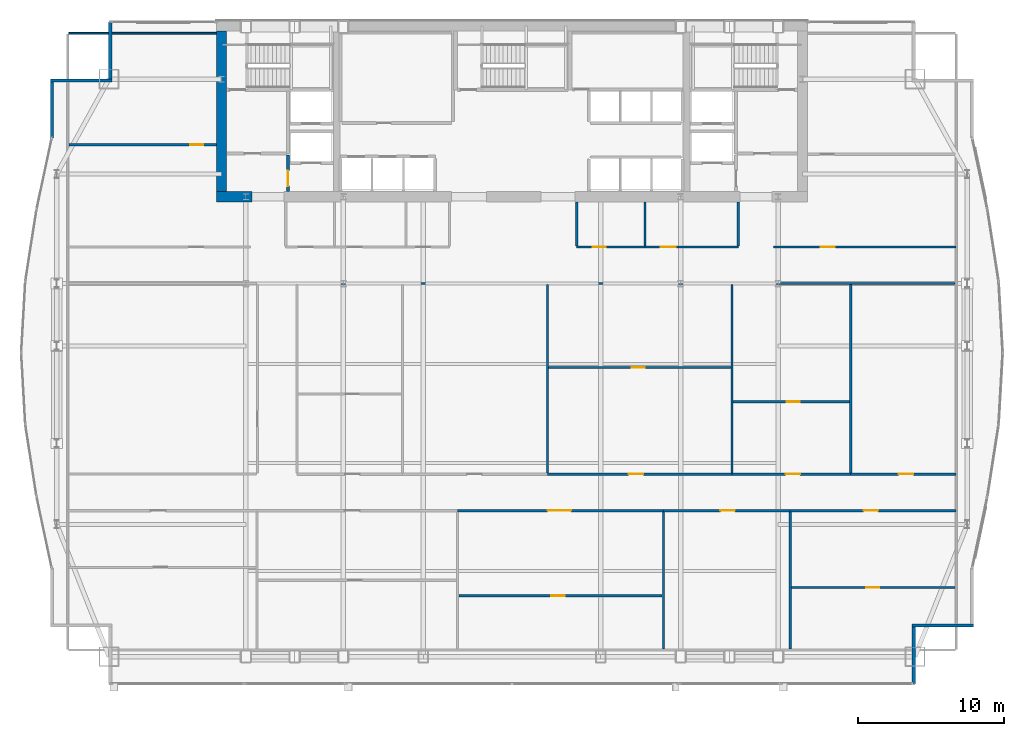
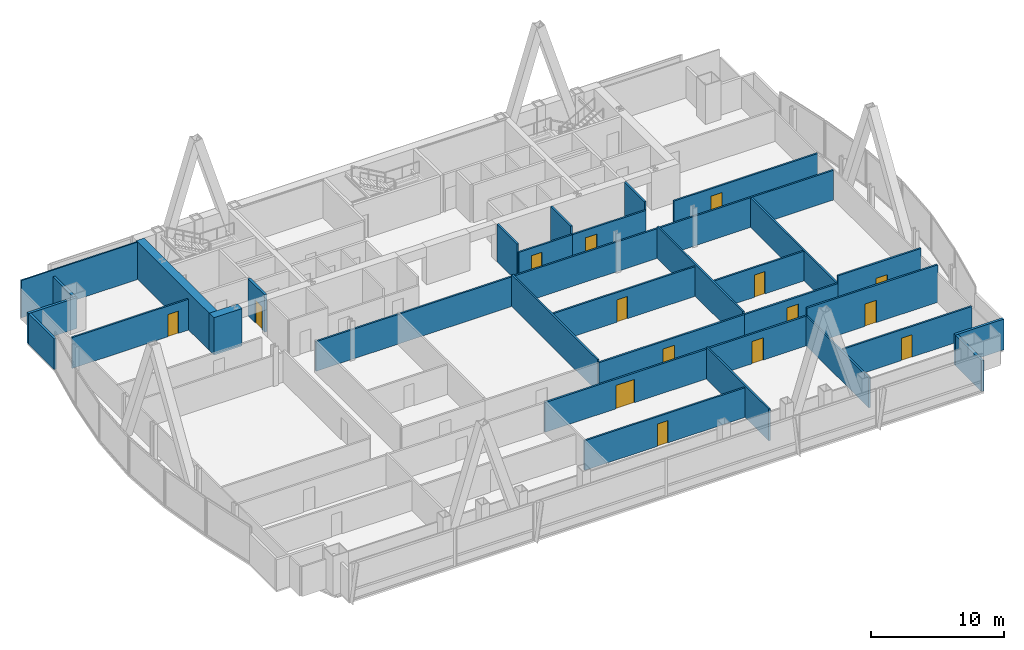
# One storey, part 26 of 30: 32 walls, 15 doors, 15 openings.
"""IFC4 building model written with IfcOpenShell, lengths in metres."""

from ifc_helpers import new_model, si_unit, direction, frame, frame_2d, origin, place, context, subcontext, project, spatial, rectangle, extrude, material, layer, layer_set, type_object, element, fill, save


model = new_model("IFC4")

# Units and contexts
model_context = context("Model", 3, precision=1e-05, world=origin(), true_north=direction((0.0, 1.0)))
body_context = subcontext(model_context, "Body", "Model", "MODEL_VIEW")
ifc_project = project(units=[si_unit("LENGTHUNIT", "METRE"), si_unit("AREAUNIT", "SQUARE_METRE"), si_unit("VOLUMEUNIT", "CUBIC_METRE"), si_unit("PLANEANGLEUNIT", "RADIAN"), si_unit("MASSUNIT", "GRAM", prefix="KILO")], contexts=[model_context])

# Site, building, storey
site_placement = place(None, origin())
site = spatial("IfcSite", under=ifc_project, at=site_placement, CompositionType="ELEMENT")
building_placement = place(site_placement, origin())
building = spatial("IfcBuilding", under=site, at=building_placement, Name="Khoronbel Lancet Exchange", CompositionType="ELEMENT")
storey_placement = place(building_placement, frame((0.0, 0.0, 157.800048828125)))
storey = spatial("IfcBuildingStorey", under=building, at=storey_placement, Name="L39", CompositionType="ELEMENT", Elevation=157.800048828125)

# Walls
ifc_material_1 = material(Name="Concrete C80/95", Category="concrete")
ifc_layer_1 = layer(ifc_material_1, 0.699951171875, Name="Concrete C80/95")
ifc_layer_set_1 = layer_set([ifc_layer_1], Name="Concrete C80/95")
wall_type_1 = type_object("IfcWallType", Name="WL-CW2", PredefinedType="SHEAR", material=ifc_layer_set_1)
wall_1_placement = place(storey_placement, frame((16.550048828125, 42.0, 0.0), z_axis=(0.0, 0.0, 1.0), x_axis=(0.0, 1.0, 0.0)))
element("IfcWall", 1, at=wall_1_placement, inside=storey, type_object=wall_type_1, Name="Level L39 rear core west shear wall", PredefinedType="SHEAR", context=body_context, shape_type="SweptSolid", body=[
    extrude(rectangle(XDim=11.0, YDim=0.699951171875, at=frame_2d((5.5, 0.0))), origin(), (0.0, 0.0, 1.0), 3.43994140625),
])
wall_2_placement = place(storey_placement, frame((18.64990234375, 41.64990234375, 0.0), z_axis=(0.0, 0.0, 1.0), x_axis=(-1.0, 0.0, 0.0)))
element("IfcWall", 2, at=wall_2_placement, inside=storey, type_object=wall_type_1, Name="Level L39 rear core south shear wall pier P1", PredefinedType="SHEAR", context=body_context, shape_type="SweptSolid", body=[
    extrude(rectangle(XDim=2.449951171875, YDim=0.699951171875, at=frame_2d((1.22509765625, 0.0))), origin(), (0.0, 0.0, 1.0), 3.43994140625),
])
ifc_material_2 = material(Name="Precast concrete C40/50", Category="concrete")
ifc_layer_2 = layer(ifc_material_2, 0.25, Name="Precast concrete C40/50")
ifc_layer_set_2 = layer_set([ifc_layer_2], Name="Precast concrete C40/50")
wall_type_2 = type_object("IfcWallType", Name="WL-EXT250", PredefinedType="SOLIDWALL", material=ifc_layer_set_2)
wall_3_placement = place(storey_placement, frame((4.93994140625, 45.67041015625, 0.0), z_axis=(0.0, 0.0, 1.0), x_axis=(0.0, 1.0, 0.0)))
element("IfcWall", 3, at=wall_3_placement, inside=storey, type_object=wall_type_2, Name="Level L39 notched-corner limestone pier 10", PredefinedType="SOLIDWALL", context=body_context, shape_type="SweptSolid", body=[
    extrude(rectangle(XDim=3.82958984375, YDim=0.219970703125, at=frame_2d((1.914794921875, 0.0))), origin(), (0.0, 0.0, 1.0), 2.829833984375),
])
wall_4_placement = place(storey_placement, frame((4.830078125, 49.610107421875, 0.0), z_axis=(0.0, 0.0, 1.0), x_axis=(1.0, 0.0, 0.0)))
element("IfcWall", 4, at=wall_4_placement, inside=storey, type_object=wall_type_2, Name="Level L39 notched-corner limestone pier 11", PredefinedType="SOLIDWALL", context=body_context, shape_type="SweptSolid", body=[
    extrude(rectangle(XDim=4.219970703125, YDim=0.219970703125, at=frame_2d((2.10986328125, 0.0))), origin(), (0.0, 0.0, 1.0), 2.829833984375),
])
wall_5_placement = place(storey_placement, frame((8.93994140625, 49.719970703125, 0.0), z_axis=(0.0, 0.0, 1.0), x_axis=(0.0, 1.0, 0.0)))
element("IfcWall", 5, at=wall_5_placement, inside=storey, type_object=wall_type_2, Name="Level L39 notched-corner limestone pier 12", PredefinedType="SOLIDWALL", context=body_context, shape_type="SweptSolid", body=[
    extrude(rectangle(XDim=3.909912109375, YDim=0.219970703125, at=frame_2d((1.955078125, 0.0))), origin(), (0.0, 0.0, 1.0), 2.829833984375),
])
wall_6_placement = place(storey_placement, frame((68.070068359375, 12.2900390625, 0.0), z_axis=(0.0, 0.0, 1.0), x_axis=(-1.0, 0.0, 0.0)))
element("IfcWall", 6, at=wall_6_placement, inside=storey, type_object=wall_type_2, Name="Level L39 notched-corner limestone pier 24", PredefinedType="SOLIDWALL", context=body_context, shape_type="SweptSolid", body=[
    extrude(rectangle(XDim=4.219970703125, YDim=0.219970703125, at=frame_2d((2.10986328125, 0.0))), origin(), (0.0, 0.0, 1.0), 2.829833984375),
])
wall_7_placement = place(storey_placement, frame((63.9599609375, 12.179931640625, 0.0), z_axis=(0.0, 0.0, 1.0), x_axis=(0.0, -1.0, 0.0)))
element("IfcWall", 7, at=wall_7_placement, inside=storey, type_object=wall_type_2, Name="Level L39 notched-corner limestone pier 25", PredefinedType="SOLIDWALL", context=body_context, shape_type="SweptSolid", body=[
    extrude(rectangle(XDim=3.909912109375, YDim=0.219970703125, at=frame_2d((1.955078125, 0.0))), origin(), (0.0, 0.0, 1.0), 2.829833984375),
])
ifc_material_3 = material(Name="Acoustic Metal-Stud & Mineral-Wool Gypsum Partition 120 mm", Category="gypsum")
ifc_layer_3 = layer(ifc_material_3, 0.1201171875, Name="Acoustic Metal-Stud & Mineral-Wool Gypsum Partition 120 mm")
ifc_layer_set_3 = layer_set([ifc_layer_3], Name="Acoustic Metal-Stud & Mineral-Wool Gypsum Partition 120 mm")
wall_type_3 = type_object("IfcWallType", Name="WL-PRT120", PredefinedType="PARTITIONING", material=ifc_layer_set_3)
for number, where, z_axis, x_axis, name in (
    (8, (40.8798828125, 38.280029296875, 0.0), (0.0, 0.0, 1.0), (0.0, 1.0, 0.0), "Level L39 interior partition PW-NP-0"),
    (9, (45.550048828125, 38.280029296875, 0.0), (0.0, 0.0, 1.0), (0.0, 1.0, 0.0), "Level L39 interior partition PW-NP-M"),
    (10, (51.949951171875, 38.280029296875, 0.0), (0.0, 0.0, 1.0), (0.0, 1.0, 0.0), "Level L39 interior partition PW-NP-1"),
):
    element("IfcWall", number, at=place(storey_placement, frame(where, z_axis=z_axis, x_axis=x_axis)), inside=storey, type_object=wall_type_3, Name=name, PredefinedType="PARTITIONING", context=body_context, shape_type="SweptSolid", body=[
        extrude(rectangle(XDim=3.02001953125, YDim=0.14990234375, at=frame_2d((1.510009765625, 0.0))), origin(), (0.0, 0.0, 1.0), 3.43994140625),
    ])

# Wall, opening, door
wall_8_placement = place(storey_placement, frame((6.094970703125, 45.199951171875, 0.0), z_axis=(0.0, 0.0, 1.0), x_axis=(1.0, 0.0, 0.0)))
wall_8 = element("IfcWall", 11, at=wall_8_placement, inside=storey, type_object=wall_type_3, Name="Level L39 interior partition PW-NW-H", PredefinedType="PARTITIONING", context=body_context, shape_type="SweptSolid", body=[
    extrude(rectangle(XDim=10.10498046875, YDim=0.14990234375, at=frame_2d((5.052490234375, 0.0))), origin(), (0.0, 0.0, 1.0), 2.829833984375),
])
opening_1_placement = place(wall_8_placement, frame((8.320068359375, 0.0, 0.0)))
opening_1 = element("IfcOpeningElement", 12, at=opening_1_placement, cuts=wall_8, Name="Opening D5", PredefinedType="OPENING", context=body_context, shape_type="SweptSolid", body=[
    extrude(rectangle(XDim=0.89990234375, YDim=2.050048828125, at=frame_2d((0.449951171875, 1.02490234375))), frame((0.0, 0.0849609375, 0.0), z_axis=(0.0, -1.0, 0.0), x_axis=(1.0, 0.0, 0.0)), (0.0, 0.0, 1.0), 0.169921875),
])
ifc_material_4 = material(Name="Acoustic Timber Pantry & Support Door", Category="wood")
door_type_1 = type_object("IfcDoorType", Name="DR-D5", OperationType="NOTDEFINED", PredefinedType="DOOR", material=ifc_material_4)
door_1_placement = place(opening_1_placement, origin())
door_1 = element("IfcDoor", 13, at=door_1_placement, inside=storey, type_object=door_type_1, Name="NW north room door L39-1", OperationType="SINGLE_SWING_RIGHT", OverallHeight=2.050048828125, OverallWidth=0.89990234375, PredefinedType="DOOR", context=body_context, shape_type="SweptSolid", body=[
    extrude(rectangle(XDim=0.89990234375, YDim=2.050048828125, at=frame_2d((0.449951171875, 1.02490234375))), frame((0.0, 0.02490234375, 0.0), z_axis=(0.0, -1.0, 0.0), x_axis=(1.0, 0.0, 0.0)), (0.0, 0.0, 1.0), 0.050048828125),
])
fill(opening_1, door_1)

wall_9_placement = place(storey_placement, frame((32.8046875, 14.31689453125, 0.0), z_axis=(0.0, 0.0, 1.0), x_axis=(1.0, 0.0, 0.0)))
wall_9 = element("IfcWall", 14, at=wall_9_placement, inside=storey, type_object=wall_type_3, Name="Level L39 interior partition PW-Z2S-H3", PredefinedType="PARTITIONING", context=body_context, shape_type="SweptSolid", body=[
    extrude(rectangle(XDim=13.9326171875, YDim=0.14990234375, at=frame_2d((6.96630859375, 0.0))), origin(), (0.0, 0.0, 1.0), 2.72998046875),
])
opening_2_placement = place(wall_9_placement, frame((6.341552734375, 0.0, 0.0)))
opening_2 = element("IfcOpeningElement", 15, at=opening_2_placement, cuts=wall_9, Name="Opening D5", PredefinedType="OPENING", context=body_context, shape_type="SweptSolid", body=[
    extrude(rectangle(XDim=0.89990234375, YDim=2.050048828125, at=frame_2d((0.449951171875, 1.02490234375))), frame((0.0, 0.0849609375, 0.0), z_axis=(0.0, -1.0, 0.0), x_axis=(1.0, 0.0, 0.0)), (0.0, 0.0, 1.0), 0.169921875),
])
door_2_placement = place(opening_2_placement, origin())
door_2 = element("IfcDoor", 16, at=door_2_placement, inside=storey, type_object=door_type_1, Name="Z2S inner door 3 L39-1", OperationType="SINGLE_SWING_RIGHT", OverallHeight=2.050048828125, OverallWidth=0.89990234375, PredefinedType="DOOR", context=body_context, shape_type="SweptSolid", body=[
    extrude(rectangle(XDim=0.89990234375, YDim=2.050048828125, at=frame_2d((0.449951171875, 1.02490234375))), frame((0.0, 0.02490234375, 0.0), z_axis=(0.0, -1.0, 0.0), x_axis=(1.0, 0.0, 0.0)), (0.0, 0.0, 1.0), 0.050048828125),
])
fill(opening_2, door_2)

wall_10_placement = place(storey_placement, frame((55.585205078125, 14.884521484375, 0.0), z_axis=(0.0, 0.0, 1.0), x_axis=(1.0, 0.0, 0.0)))
wall_10 = element("IfcWall", 17, at=wall_10_placement, inside=storey, type_object=wall_type_3, Name="Level L39 interior partition PW-Z2S-H5", PredefinedType="PARTITIONING", context=body_context, shape_type="SweptSolid", body=[
    extrude(rectangle(XDim=11.2197265625, YDim=0.14990234375, at=frame_2d((5.60986328125, 0.0))), origin(), (0.0, 0.0, 1.0), 2.829833984375),
])
opening_3_placement = place(wall_10_placement, frame((5.1142578125, 0.0, 0.0)))
opening_3 = element("IfcOpeningElement", 18, at=opening_3_placement, cuts=wall_10, Name="Opening D5", PredefinedType="OPENING", context=body_context, shape_type="SweptSolid", body=[
    extrude(rectangle(XDim=0.89990234375, YDim=2.050048828125, at=frame_2d((0.449951171875, 1.02490234375))), frame((0.0, 0.0849609375, 0.0), z_axis=(0.0, -1.0, 0.0), x_axis=(1.0, 0.0, 0.0)), (0.0, 0.0, 1.0), 0.169921875),
])
door_3_placement = place(opening_3_placement, origin())
door_3 = element("IfcDoor", 19, at=door_3_placement, inside=storey, type_object=door_type_1, Name="Z2S inner door 5 L39-1", OperationType="SINGLE_SWING_LEFT", OverallHeight=2.050048828125, OverallWidth=0.89990234375, PredefinedType="DOOR", context=body_context, shape_type="SweptSolid", body=[
    extrude(rectangle(XDim=0.89990234375, YDim=2.050048828125, at=frame_2d((0.449951171875, 1.02490234375))), frame((0.0, 0.02490234375, 0.0), z_axis=(0.0, -1.0, 0.0), x_axis=(1.0, 0.0, 0.0)), (0.0, 0.0, 1.0), 0.050048828125),
])
fill(opening_3, door_3)

wall_11_placement = place(storey_placement, frame((38.963134765625, 29.9580078125, 0.0), z_axis=(0.0, 0.0, 1.0), x_axis=(1.0, 0.0, 0.0)))
wall_11 = element("IfcWall", 20, at=wall_11_placement, inside=storey, type_object=wall_type_3, Name="Level L39 interior partition PW-Z2N-H3", PredefinedType="PARTITIONING", context=body_context, shape_type="SweptSolid", body=[
    extrude(rectangle(XDim=12.479248046875, YDim=0.14990234375, at=frame_2d((6.23974609375, 0.0))), origin(), (0.0, 0.0, 1.0), 2.72998046875),
])
opening_4_placement = place(wall_11_placement, frame((5.6875, 0.0, 0.0)))
opening_4 = element("IfcOpeningElement", 21, at=opening_4_placement, cuts=wall_11, Name="Opening D5", PredefinedType="OPENING", context=body_context, shape_type="SweptSolid", body=[
    extrude(rectangle(XDim=0.89990234375, YDim=2.050048828125, at=frame_2d((0.449951171875, 1.02490234375))), frame((0.0, 0.0849609375, 0.0), z_axis=(0.0, -1.0, 0.0), x_axis=(1.0, 0.0, 0.0)), (0.0, 0.0, 1.0), 0.169921875),
])
door_4_placement = place(opening_4_placement, origin())
door_4 = element("IfcDoor", 22, at=door_4_placement, inside=storey, type_object=door_type_1, Name="Z2N inner door 3 L39-1", OperationType="SINGLE_SWING_LEFT", OverallHeight=2.050048828125, OverallWidth=0.89990234375, PredefinedType="DOOR", context=body_context, shape_type="SweptSolid", body=[
    extrude(rectangle(XDim=0.89990234375, YDim=2.050048828125, at=frame_2d((0.449951171875, 1.02490234375))), frame((0.0, 0.02490234375, 0.0), z_axis=(0.0, -1.0, 0.0), x_axis=(1.0, 0.0, 0.0)), (0.0, 0.0, 1.0), 0.050048828125),
])
fill(opening_4, door_4)

wall_12_placement = place(storey_placement, frame((51.602294921875, 27.60888671875, 0.0), z_axis=(0.0, 0.0, 1.0), x_axis=(1.0, 0.0, 0.0)))
wall_12 = element("IfcWall", 23, at=wall_12_placement, inside=storey, type_object=wall_type_3, Name="Level L39 interior partition PW-Z2N-H4", PredefinedType="PARTITIONING", context=body_context, shape_type="SweptSolid", body=[
    extrude(rectangle(XDim=7.96533203125, YDim=0.14990234375, at=frame_2d((3.982666015625, 0.0))), origin(), (0.0, 0.0, 1.0), 2.72998046875),
])
opening_5_placement = place(wall_12_placement, frame((3.65625, 0.0, 0.0)))
opening_5 = element("IfcOpeningElement", 24, at=opening_5_placement, cuts=wall_12, Name="Opening D5", PredefinedType="OPENING", context=body_context, shape_type="SweptSolid", body=[
    extrude(rectangle(XDim=0.89990234375, YDim=2.050048828125, at=frame_2d((0.449951171875, 1.02490234375))), frame((0.0, 0.0849609375, 0.0), z_axis=(0.0, -1.0, 0.0), x_axis=(1.0, 0.0, 0.0)), (0.0, 0.0, 1.0), 0.169921875),
])
door_5_placement = place(opening_5_placement, origin())
door_5 = element("IfcDoor", 25, at=door_5_placement, inside=storey, type_object=door_type_1, Name="Z2N inner door 4 L39-1", OperationType="SINGLE_SWING_LEFT", OverallHeight=2.050048828125, OverallWidth=0.89990234375, PredefinedType="DOOR", context=body_context, shape_type="SweptSolid", body=[
    extrude(rectangle(XDim=0.89990234375, YDim=2.050048828125, at=frame_2d((0.449951171875, 1.02490234375))), frame((0.0, 0.02490234375, 0.0), z_axis=(0.0, -1.0, 0.0), x_axis=(1.0, 0.0, 0.0)), (0.0, 0.0, 1.0), 0.050048828125),
])
fill(opening_5, door_5)

# Wall
wall_13_placement = place(storey_placement, frame((6.094970703125, 52.840087890625, 0.0), z_axis=(0.0, 0.0, 1.0), x_axis=(1.0, 0.0, 0.0)))
element("IfcWall", 26, at=wall_13_placement, inside=storey, type_object=wall_type_3, Name="Level L39 interior partition PW-LIN-NW", PredefinedType="PARTITIONING", context=body_context, shape_type="SweptSolid", body=[
    extrude(rectangle(XDim=10.10498046875, YDim=0.1201171875, at=frame_2d((5.052490234375, 0.0))), origin(), (0.0, 0.0, 1.0), 3.43994140625),
])

# Wall, opening, door
ifc_material_5 = material(Name="Fire-Rated Twin-Stud Acoustic Gypsum Partition 150 mm", Category="gypsum")
ifc_layer_4 = layer(ifc_material_5, 0.14990234375, Name="Fire-Rated Twin-Stud Acoustic Gypsum Partition 150 mm")
ifc_layer_set_4 = layer_set([ifc_layer_4], Name="Fire-Rated Twin-Stud Acoustic Gypsum Partition 150 mm")
wall_type_4 = type_object("IfcWallType", Name="WL-PRT150C", PredefinedType="PARTITIONING", material=ifc_layer_set_4)
wall_14_placement = place(storey_placement, frame((40.8798828125, 38.199951171875, 0.0), z_axis=(0.0, 0.0, 1.0), x_axis=(1.0, 0.0, 0.0)))
wall_14 = element("IfcWall", 27, at=wall_14_placement, inside=storey, type_object=wall_type_4, Name="Level L39 interior partition PW-NP-S1", PredefinedType="PARTITIONING", context=body_context, shape_type="SweptSolid", body=[
    extrude(rectangle(XDim=4.670166015625, YDim=0.14990234375, at=frame_2d((2.3349609375, 0.0))), origin(), (0.0, 0.0, 1.0), 2.72998046875),
])
opening_6_placement = place(wall_14_placement, frame((1.10009765625, 0.0, 0.0)))
opening_6 = element("IfcOpeningElement", 28, at=opening_6_placement, cuts=wall_14, Name="Opening D5", PredefinedType="OPENING", context=body_context, shape_type="SweptSolid", body=[
    extrude(rectangle(XDim=0.89990234375, YDim=2.050048828125, at=frame_2d((0.449951171875, 1.02490234375))), frame((0.0, 0.0849609375, 0.0), z_axis=(0.0, -1.0, 0.0), x_axis=(1.0, 0.0, 0.0)), (0.0, 0.0, 1.0), 0.169921875),
])
door_6_placement = place(opening_6_placement, origin())
door_6 = element("IfcDoor", 29, at=door_6_placement, inside=storey, type_object=door_type_1, Name="Floor refreshment pantry door L39-1", OperationType="SINGLE_SWING_RIGHT", OverallHeight=2.050048828125, OverallWidth=0.89990234375, PredefinedType="DOOR", context=body_context, shape_type="SweptSolid", body=[
    extrude(rectangle(XDim=0.89990234375, YDim=2.050048828125, at=frame_2d((0.449951171875, 1.02490234375))), frame((0.0, 0.02490234375, 0.0), z_axis=(0.0, -1.0, 0.0), x_axis=(1.0, 0.0, 0.0)), (0.0, 0.0, 1.0), 0.050048828125),
])
fill(opening_6, door_6)

wall_15_placement = place(storey_placement, frame((45.550048828125, 38.199951171875, 0.0), z_axis=(0.0, 0.0, 1.0), x_axis=(1.0, 0.0, 0.0)))
wall_15 = element("IfcWall", 30, at=wall_15_placement, inside=storey, type_object=wall_type_4, Name="Level L39 interior partition PW-NP-S2", PredefinedType="PARTITIONING", context=body_context, shape_type="SweptSolid", body=[
    extrude(rectangle(XDim=6.39990234375, YDim=0.14990234375, at=frame_2d((3.199951171875, 0.0))), origin(), (0.0, 0.0, 1.0), 2.72998046875),
])
opening_7_placement = place(wall_15_placement, frame((1.10009765625, 0.0, 0.0)))
opening_7 = element("IfcOpeningElement", 31, at=opening_7_placement, cuts=wall_15, Name="Opening D2", PredefinedType="OPENING", context=body_context, shape_type="SweptSolid", body=[
    extrude(rectangle(XDim=1.0, YDim=2.050048828125, at=frame_2d((0.5, 1.02490234375))), frame((0.0, 0.0849609375, 0.0), z_axis=(0.0, -1.0, 0.0), x_axis=(1.0, 0.0, 0.0)), (0.0, 0.0, 1.0), 0.169921875),
])
ifc_material_6 = material(Name="Acoustic Veneered Timber & Bronze Frame Door", Category="wood")
door_type_2 = type_object("IfcDoorType", Name="DR-D2", OperationType="NOTDEFINED", PredefinedType="DOOR", material=ifc_material_6)
door_7_placement = place(opening_7_placement, origin())
door_7 = element("IfcDoor", 32, at=door_7_placement, inside=storey, type_object=door_type_2, Name="Floor store door L39-1", OperationType="SINGLE_SWING_LEFT", OverallHeight=2.050048828125, OverallWidth=1.0, PredefinedType="DOOR", context=body_context, shape_type="SweptSolid", body=[
    extrude(rectangle(XDim=1.0, YDim=2.050048828125, at=frame_2d((0.5, 1.02490234375))), frame((0.0, 0.02490234375, 0.0), z_axis=(0.0, -1.0, 0.0), x_axis=(1.0, 0.0, 0.0)), (0.0, 0.0, 1.0), 0.050048828125),
])
fill(opening_7, door_7)

wall_16_placement = place(storey_placement, frame((54.35009765625, 38.199951171875, 0.0), z_axis=(0.0, 0.0, 1.0), x_axis=(1.0, 0.0, 0.0)))
wall_16 = element("IfcWall", 33, at=wall_16_placement, inside=storey, type_object=wall_type_4, Name="Level L39 interior partition PW-NE-S", PredefinedType="PARTITIONING", context=body_context, shape_type="SweptSolid", body=[
    extrude(rectangle(XDim=12.52001953125, YDim=0.14990234375, at=frame_2d((6.260009765625, 0.0))), origin(), (0.0, 0.0, 1.0), 2.72998046875),
])
opening_8_placement = place(wall_16_placement, frame((3.25, 0.0, 0.0)))
opening_8 = element("IfcOpeningElement", 34, at=opening_8_placement, cuts=wall_16, Name="Opening D1", PredefinedType="OPENING", context=body_context, shape_type="SweptSolid", body=[
    extrude(rectangle(XDim=0.949951171875, YDim=2.050048828125, at=frame_2d((0.47509765625, 1.02490234375))), frame((0.0, 0.0849609375, 0.0), z_axis=(0.0, -1.0, 0.0), x_axis=(1.0, 0.0, 0.0)), (0.0, 0.0, 1.0), 0.169921875),
])
door_type_3 = type_object("IfcDoorType", Name="DR-D1", OperationType="NOTDEFINED", PredefinedType="DOOR", material=ifc_material_6)
door_8_placement = place(opening_8_placement, origin())
door_8 = element("IfcDoor", 35, at=door_8_placement, inside=storey, type_object=door_type_3, Name="NE corner room door L39-1", OperationType="SINGLE_SWING_LEFT", OverallHeight=2.050048828125, OverallWidth=0.949951171875, PredefinedType="DOOR", context=body_context, shape_type="SweptSolid", body=[
    extrude(rectangle(XDim=0.949951171875, YDim=2.050048828125, at=frame_2d((0.47509765625, 1.02490234375))), frame((0.0, 0.02490234375, 0.0), z_axis=(0.0, -1.0, 0.0), x_axis=(1.0, 0.0, 0.0)), (0.0, 0.0, 1.0), 0.050048828125),
])
fill(opening_8, door_8)

# Walls
wall_17_placement = place(storey_placement, frame((46.8173828125, 10.6650390625, 0.0), z_axis=(0.0, 0.0, 1.0), x_axis=(0.0, 1.0, 0.0)))
element("IfcWall", 36, at=wall_17_placement, inside=storey, type_object=wall_type_4, Name="Level L39 interior partition PW-Z2S-V3", PredefinedType="PARTITIONING", context=body_context, shape_type="SweptSolid", body=[
    extrude(rectangle(XDim=9.39990234375, YDim=0.14990234375, at=frame_2d((4.699951171875, 0.0))), origin(), (0.0, 0.0, 1.0), 2.929931640625),
])
wall_18_placement = place(storey_placement, frame((55.505126953125, 10.6650390625, 0.0), z_axis=(0.0, 0.0, 1.0), x_axis=(0.0, 1.0, 0.0)))
element("IfcWall", 37, at=wall_18_placement, inside=storey, type_object=wall_type_4, Name="Level L39 interior partition PW-Z2S-V4", PredefinedType="PARTITIONING", context=body_context, shape_type="SweptSolid", body=[
    extrude(rectangle(XDim=9.39990234375, YDim=0.14990234375, at=frame_2d((4.699951171875, 0.0))), origin(), (0.0, 0.0, 1.0), 2.72998046875),
])
wall_19_placement = place(storey_placement, frame((21.81005859375, 35.699951171875, 0.0), z_axis=(0.0, 0.0, 1.0), x_axis=(1.0, 0.0, 0.0)))
element("IfcWall", 38, at=wall_19_placement, inside=storey, type_object=wall_type_4, Name="Level L39 interior partition PW-Z2-EN", PredefinedType="PARTITIONING", context=body_context, shape_type="SweptSolid", body=[
    extrude(rectangle(XDim=44.994873046875, YDim=0.14990234375, at=frame_2d((22.49755859375, 0.0))), origin(), (0.0, 0.0, 1.0), 2.72998046875),
])
for number, where, z_axis, x_axis, name in (
    (39, (38.88330078125, 22.735107421875, 0.0), (0.0, 0.0, 1.0), (0.0, 1.0, 0.0), "Level L39 interior partition PW-Z2N-V2"),
    (40, (51.5224609375, 22.735107421875, 0.0), (0.0, 0.0, 1.0), (0.0, 1.0, 0.0), "Level L39 interior partition PW-Z2N-V3"),
):
    element("IfcWall", number, at=place(storey_placement, frame(where, z_axis=z_axis, x_axis=x_axis)), inside=storey, type_object=wall_type_4, Name=name, PredefinedType="PARTITIONING", context=body_context, shape_type="SweptSolid", body=[
        extrude(rectangle(XDim=12.885009765625, YDim=0.14990234375, at=frame_2d((6.4423828125, 0.0))), origin(), (0.0, 0.0, 1.0), 2.929931640625),
    ])
wall_20_placement = place(storey_placement, frame((59.647705078125, 22.735107421875, 0.0), z_axis=(0.0, 0.0, 1.0), x_axis=(0.0, 1.0, 0.0)))
element("IfcWall", 41, at=wall_20_placement, inside=storey, type_object=wall_type_4, Name="Level L39 interior partition PW-Z2N-V4", PredefinedType="PARTITIONING", context=body_context, shape_type="SweptSolid", body=[
    extrude(rectangle(XDim=12.885009765625, YDim=0.14990234375, at=frame_2d((6.4423828125, 0.0))), origin(), (0.0, 0.0, 1.0), 2.72998046875),
])

# Wall, opening, door
ifc_material_7 = material(Name="Fire-Rated Twin-Stud Acoustic Gypsum Partition 160 mm", Category="gypsum")
ifc_layer_5 = layer(ifc_material_7, 0.159912109375, Name="Fire-Rated Twin-Stud Acoustic Gypsum Partition 160 mm")
ifc_layer_set_5 = layer_set([ifc_layer_5], Name="Fire-Rated Twin-Stud Acoustic Gypsum Partition 160 mm")
wall_type_5 = type_object("IfcWallType", Name="WL-PRT160C", PredefinedType="PARTITIONING", material=ifc_layer_set_5)
wall_21_placement = place(storey_placement, frame((32.724853515625, 20.14990234375, 0.0), z_axis=(0.0, 0.0, 1.0), x_axis=(1.0, 0.0, 0.0)))
wall_21 = element("IfcWall", 42, at=wall_21_placement, inside=storey, type_object=wall_type_5, Name="Level L39 interior partition PW-Z2S-COR3", PredefinedType="PARTITIONING", context=body_context, shape_type="SweptSolid", body=[
    extrude(rectangle(XDim=14.092529296875, YDim=0.159912109375, at=frame_2d((7.04638671875, 0.0))), origin(), (0.0, 0.0, 1.0), 2.72998046875),
])
opening_9_placement = place(wall_21_placement, frame((6.168701171875, 0.0, 0.0)))
opening_9 = element("IfcOpeningElement", 43, at=opening_9_placement, cuts=wall_21, Name="Opening D3", PredefinedType="OPENING", context=body_context, shape_type="SweptSolid", body=[
    extrude(rectangle(XDim=1.60009765625, YDim=2.14990234375, at=frame_2d((0.800048828125, 1.074951171875))), frame((0.0, 0.08984375, 0.0), z_axis=(0.0, -1.0, 0.0), x_axis=(1.0, 0.0, 0.0)), (0.0, 0.0, 1.0), 0.179931640625),
])
ifc_material_8 = material(Name="Glazed Bronze-Framed Double Suite Door", Category="aluminium")
door_type_4 = type_object("IfcDoorType", Name="DR-D3", OperationType="NOTDEFINED", PredefinedType="DOOR", material=ifc_material_8)
door_9_placement = place(opening_9_placement, origin())
door_9 = element("IfcDoor", 44, at=door_9_placement, inside=storey, type_object=door_type_4, Name="Z2S bay 3 door L39-1", OperationType="DOUBLE_DOOR_SINGLE_SWING", OverallHeight=2.14990234375, OverallWidth=1.60009765625, PredefinedType="DOOR", context=body_context, shape_type="SweptSolid", body=[
    extrude(rectangle(XDim=1.60009765625, YDim=2.14990234375, at=frame_2d((0.800048828125, 1.074951171875))), frame((0.0, 0.02490234375, 0.0), z_axis=(0.0, -1.0, 0.0), x_axis=(1.0, 0.0, 0.0)), (0.0, 0.0, 1.0), 0.050048828125),
])
fill(opening_9, door_9)

wall_22_placement = place(storey_placement, frame((46.8173828125, 20.14990234375, 0.0), z_axis=(0.0, 0.0, 1.0), x_axis=(1.0, 0.0, 0.0)))
wall_22 = element("IfcWall", 45, at=wall_22_placement, inside=storey, type_object=wall_type_5, Name="Level L39 interior partition PW-Z2S-COR4", PredefinedType="PARTITIONING", context=body_context, shape_type="SweptSolid", body=[
    extrude(rectangle(XDim=8.687744140625, YDim=0.159912109375, at=frame_2d((4.34375, 0.0))), origin(), (0.0, 0.0, 1.0), 2.72998046875),
])
opening_10_placement = place(wall_22_placement, frame((3.89892578125, 0.0, 0.0)))
opening_10 = element("IfcOpeningElement", 46, at=opening_10_placement, cuts=wall_22, Name="Opening D2", PredefinedType="OPENING", context=body_context, shape_type="SweptSolid", body=[
    extrude(rectangle(XDim=1.0, YDim=2.050048828125, at=frame_2d((0.5, 1.02490234375))), frame((0.0, 0.08984375, 0.0), z_axis=(0.0, -1.0, 0.0), x_axis=(1.0, 0.0, 0.0)), (0.0, 0.0, 1.0), 0.179931640625),
])
door_10_placement = place(opening_10_placement, origin())
door_10 = element("IfcDoor", 47, at=door_10_placement, inside=storey, type_object=door_type_2, Name="Z2S bay 4 door L39-1", OperationType="SINGLE_SWING_LEFT", OverallHeight=2.050048828125, OverallWidth=1.0, PredefinedType="DOOR", context=body_context, shape_type="SweptSolid", body=[
    extrude(rectangle(XDim=1.0, YDim=2.050048828125, at=frame_2d((0.5, 1.02490234375))), frame((0.0, 0.02490234375, 0.0), z_axis=(0.0, -1.0, 0.0), x_axis=(1.0, 0.0, 0.0)), (0.0, 0.0, 1.0), 0.050048828125),
])
fill(opening_10, door_10)

wall_23_placement = place(storey_placement, frame((55.505126953125, 20.14990234375, 0.0), z_axis=(0.0, 0.0, 1.0), x_axis=(1.0, 0.0, 0.0)))
wall_23 = element("IfcWall", 48, at=wall_23_placement, inside=storey, type_object=wall_type_5, Name="Level L39 interior partition PW-Z2S-COR5", PredefinedType="PARTITIONING", context=body_context, shape_type="SweptSolid", body=[
    extrude(rectangle(XDim=11.364990234375, YDim=0.159912109375, at=frame_2d((5.6826171875, 0.0))), origin(), (0.0, 0.0, 1.0), 3.43994140625),
])
opening_11_placement = place(wall_23_placement, frame((5.023193359375, 0.0, 0.0)))
opening_11 = element("IfcOpeningElement", 49, at=opening_11_placement, cuts=wall_23, Name="Opening D2", PredefinedType="OPENING", context=body_context, shape_type="SweptSolid", body=[
    extrude(rectangle(XDim=1.0, YDim=2.050048828125, at=frame_2d((0.5, 1.02490234375))), frame((0.0, 0.08984375, 0.0), z_axis=(0.0, -1.0, 0.0), x_axis=(1.0, 0.0, 0.0)), (0.0, 0.0, 1.0), 0.179931640625),
])
door_11_placement = place(opening_11_placement, origin())
door_11 = element("IfcDoor", 50, at=door_11_placement, inside=storey, type_object=door_type_2, Name="Z2S bay 5 door L39-1", OperationType="SINGLE_SWING_RIGHT", OverallHeight=2.050048828125, OverallWidth=1.0, PredefinedType="DOOR", context=body_context, shape_type="SweptSolid", body=[
    extrude(rectangle(XDim=1.0, YDim=2.050048828125, at=frame_2d((0.5, 1.02490234375))), frame((0.0, 0.02490234375, 0.0), z_axis=(0.0, -1.0, 0.0), x_axis=(1.0, 0.0, 0.0)), (0.0, 0.0, 1.0), 0.050048828125),
])
fill(opening_11, door_11)

wall_24_placement = place(storey_placement, frame((38.88330078125, 22.64990234375, 0.0), z_axis=(0.0, 0.0, 1.0), x_axis=(1.0, 0.0, 0.0)))
wall_24 = element("IfcWall", 51, at=wall_24_placement, inside=storey, type_object=wall_type_5, Name="Level L39 interior partition PW-Z2N-COR3", PredefinedType="PARTITIONING", context=body_context, shape_type="SweptSolid", body=[
    extrude(rectangle(XDim=12.63916015625, YDim=0.159912109375, at=frame_2d((6.319580078125, 0.0))), origin(), (0.0, 0.0, 1.0), 2.72998046875),
])
opening_12_placement = place(wall_24_placement, frame((5.55859375, 0.0, 0.0)))
opening_12 = element("IfcOpeningElement", 52, at=opening_12_placement, cuts=wall_24, Name="Opening D2", PredefinedType="OPENING", context=body_context, shape_type="SweptSolid", body=[
    extrude(rectangle(XDim=1.0, YDim=2.050048828125, at=frame_2d((0.5, 1.02490234375))), frame((0.0, 0.08984375, 0.0), z_axis=(0.0, -1.0, 0.0), x_axis=(1.0, 0.0, 0.0)), (0.0, 0.0, 1.0), 0.179931640625),
])
door_12_placement = place(opening_12_placement, origin())
door_12 = element("IfcDoor", 53, at=door_12_placement, inside=storey, type_object=door_type_2, Name="Z2N bay 3 door L39-1", OperationType="SINGLE_SWING_RIGHT", OverallHeight=2.050048828125, OverallWidth=1.0, PredefinedType="DOOR", context=body_context, shape_type="SweptSolid", body=[
    extrude(rectangle(XDim=1.0, YDim=2.050048828125, at=frame_2d((0.5, 1.02490234375))), frame((0.0, 0.02490234375, 0.0), z_axis=(0.0, -1.0, 0.0), x_axis=(1.0, 0.0, 0.0)), (0.0, 0.0, 1.0), 0.050048828125),
])
fill(opening_12, door_12)

wall_25_placement = place(storey_placement, frame((51.5224609375, 22.64990234375, 0.0), z_axis=(0.0, 0.0, 1.0), x_axis=(1.0, 0.0, 0.0)))
wall_25 = element("IfcWall", 54, at=wall_25_placement, inside=storey, type_object=wall_type_5, Name="Level L39 interior partition PW-Z2N-COR4", PredefinedType="PARTITIONING", context=body_context, shape_type="SweptSolid", body=[
    extrude(rectangle(XDim=8.125244140625, YDim=0.159912109375, at=frame_2d((4.0625, 0.0))), origin(), (0.0, 0.0, 1.0), 2.72998046875),
])
opening_13_placement = place(wall_25_placement, frame((3.66259765625, 0.0, 0.0)))
opening_13 = element("IfcOpeningElement", 55, at=opening_13_placement, cuts=wall_25, Name="Opening D2", PredefinedType="OPENING", context=body_context, shape_type="SweptSolid", body=[
    extrude(rectangle(XDim=1.0, YDim=2.050048828125, at=frame_2d((0.5, 1.02490234375))), frame((0.0, 0.08984375, 0.0), z_axis=(0.0, -1.0, 0.0), x_axis=(1.0, 0.0, 0.0)), (0.0, 0.0, 1.0), 0.179931640625),
])
door_13_placement = place(opening_13_placement, origin())
door_13 = element("IfcDoor", 56, at=door_13_placement, inside=storey, type_object=door_type_2, Name="Z2N bay 4 door L39-1", OperationType="SINGLE_SWING_RIGHT", OverallHeight=2.050048828125, OverallWidth=1.0, PredefinedType="DOOR", context=body_context, shape_type="SweptSolid", body=[
    extrude(rectangle(XDim=1.0, YDim=2.050048828125, at=frame_2d((0.5, 1.02490234375))), frame((0.0, 0.02490234375, 0.0), z_axis=(0.0, -1.0, 0.0), x_axis=(1.0, 0.0, 0.0)), (0.0, 0.0, 1.0), 0.050048828125),
])
fill(opening_13, door_13)

wall_26_placement = place(storey_placement, frame((59.647705078125, 22.64990234375, 0.0), z_axis=(0.0, 0.0, 1.0), x_axis=(1.0, 0.0, 0.0)))
wall_26 = element("IfcWall", 57, at=wall_26_placement, inside=storey, type_object=wall_type_5, Name="Level L39 interior partition PW-Z2N-COR5", PredefinedType="PARTITIONING", context=body_context, shape_type="SweptSolid", body=[
    extrude(rectangle(XDim=7.222412109375, YDim=0.159912109375, at=frame_2d((3.611328125, 0.0))), origin(), (0.0, 0.0, 1.0), 3.43994140625),
])
opening_14_placement = place(wall_26_placement, frame((3.283447265625, 0.0, 0.0)))
opening_14 = element("IfcOpeningElement", 58, at=opening_14_placement, cuts=wall_26, Name="Opening D2", PredefinedType="OPENING", context=body_context, shape_type="SweptSolid", body=[
    extrude(rectangle(XDim=1.0, YDim=2.050048828125, at=frame_2d((0.5, 1.02490234375))), frame((0.0, 0.08984375, 0.0), z_axis=(0.0, -1.0, 0.0), x_axis=(1.0, 0.0, 0.0)), (0.0, 0.0, 1.0), 0.179931640625),
])
door_14_placement = place(opening_14_placement, origin())
door_14 = element("IfcDoor", 59, at=door_14_placement, inside=storey, type_object=door_type_2, Name="Z2N bay 5 door L39-1", OperationType="SINGLE_SWING_RIGHT", OverallHeight=2.050048828125, OverallWidth=1.0, PredefinedType="DOOR", context=body_context, shape_type="SweptSolid", body=[
    extrude(rectangle(XDim=1.0, YDim=2.050048828125, at=frame_2d((0.5, 1.02490234375))), frame((0.0, 0.02490234375, 0.0), z_axis=(0.0, -1.0, 0.0), x_axis=(1.0, 0.0, 0.0)), (0.0, 0.0, 1.0), 0.050048828125),
])
fill(opening_14, door_14)

ifc_material_9 = material(Name="Autoclaved Aerated Concrete Blockwork 200 mm", Category="masonry")
ifc_layer_6 = layer(ifc_material_9, 0.199951171875, Name="Autoclaved Aerated Concrete Blockwork 200 mm")
ifc_layer_set_6 = layer_set([ifc_layer_6], Name="Autoclaved Aerated Concrete Blockwork 200 mm")
wall_type_6 = type_object("IfcWallType", Name="WL-PRT200", PredefinedType="PARTITIONING", material=ifc_layer_set_6)
wall_27_placement = place(storey_placement, frame((21.10009765625, 42.0, 0.0), z_axis=(0.0, 0.0, 1.0), x_axis=(0.0, 1.0, 0.0)))
wall_27 = element("IfcWall", 60, at=wall_27_placement, inside=storey, type_object=wall_type_6, Name="Level L39 interior partition CW-SVLW-W", PredefinedType="PARTITIONING", context=body_context, shape_type="SweptSolid", body=[
    extrude(rectangle(XDim=2.4951171875, YDim=0.199951171875, at=frame_2d((1.24755859375, 0.0))), origin(), (0.0, 0.0, 1.0), 3.43994140625),
])
opening_15_placement = place(wall_27_placement, frame((0.3798828125, 0.0, 0.0)))
opening_15 = element("IfcOpeningElement", 61, at=opening_15_placement, cuts=wall_27, Name="Opening FD1", PredefinedType="OPENING", context=body_context, shape_type="SweptSolid", body=[
    extrude(rectangle(XDim=1.050048828125, YDim=2.14990234375, at=frame_2d((0.52490234375, 1.074951171875))), frame((0.0, 0.10986328125, 0.0), z_axis=(0.0, -1.0, 0.0), x_axis=(1.0, 0.0, 0.0)), (0.0, 0.0, 1.0), 0.219970703125),
])
ifc_material_10 = material(Name="Fire-Rated Painted Steel Door Assembly", Category="steel")
door_type_5 = type_object("IfcDoorType", Name="DR-FD1", OperationType="NOTDEFINED", PredefinedType="DOOR", material=ifc_material_10)
door_15_placement = place(opening_15_placement, origin())
door_15 = element("IfcDoor", 62, at=door_15_placement, inside=storey, type_object=door_type_5, Name="West service lift lobby door L39-1", OperationType="SINGLE_SWING_RIGHT", OverallHeight=2.14990234375, OverallWidth=1.050048828125, PredefinedType="DOOR", context=body_context, shape_type="SweptSolid", body=[
    extrude(rectangle(XDim=1.050048828125, YDim=2.14990234375, at=frame_2d((0.52490234375, 1.074951171875))), frame((0.0, 0.02490234375, 0.0), z_axis=(0.0, -1.0, 0.0), x_axis=(1.0, 0.0, 0.0)), (0.0, 0.0, 1.0), 0.050048828125),
])
fill(opening_15, door_15)

save(model, "model.ifc")
